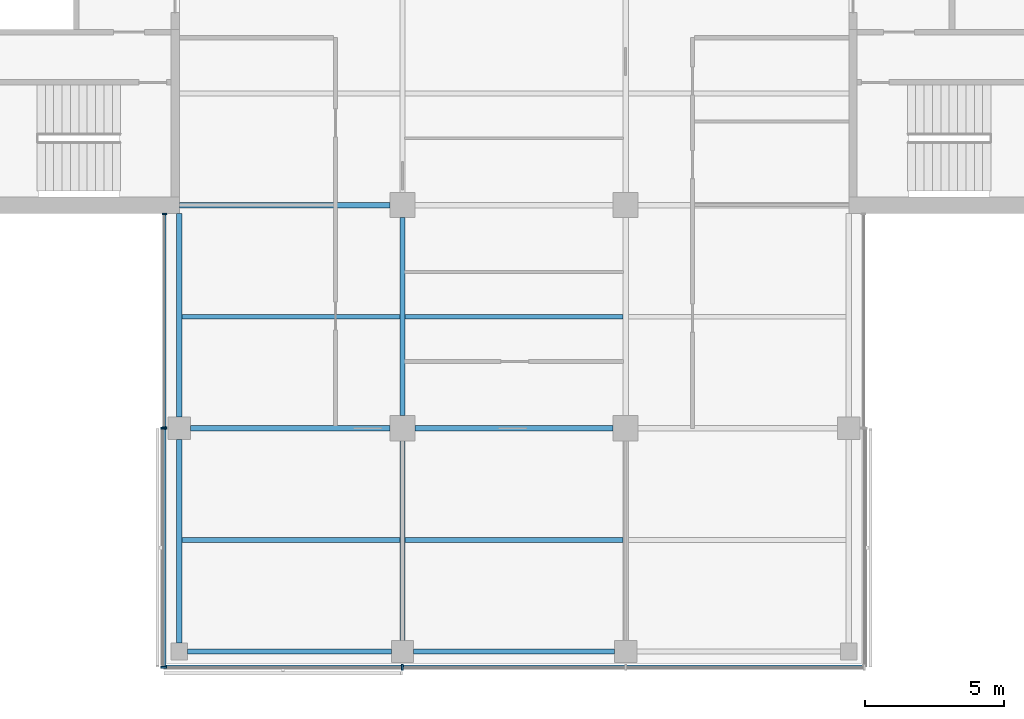
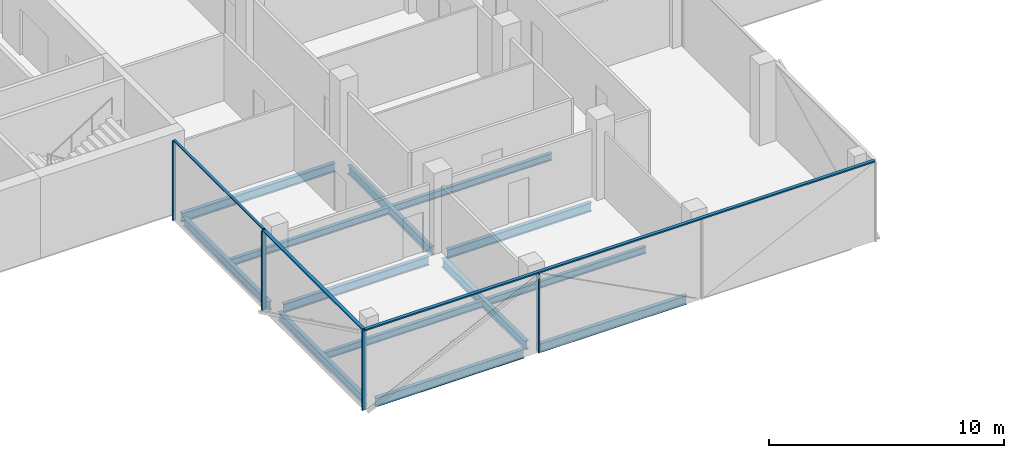
# One storey, part 2 of 15: 13 beams, 8 members, 3 elements without a shape of their own.
"""IFC4 building model written with IfcOpenShell, lengths in metres."""

from ifc_helpers import new_model, si_unit, direction, frame, origin, origin_2d, place, context, subcontext, project, spatial, rectangle, i_section, extrude, material, material_profile, profile_set, type_object, element, aggregate, save


model = new_model("IFC4")

# Units and contexts
model_context = context("Model", 3, precision=1e-05, world=origin(), true_north=direction((0.0, 1.0)))
body_context = subcontext(model_context, "Body", "Model", "MODEL_VIEW")
ifc_project = project(units=[si_unit("LENGTHUNIT", "METRE"), si_unit("AREAUNIT", "SQUARE_METRE"), si_unit("VOLUMEUNIT", "CUBIC_METRE"), si_unit("PLANEANGLEUNIT", "RADIAN"), si_unit("MASSUNIT", "GRAM", prefix="KILO")], contexts=[model_context])

# Site, building, storey
site_placement = place(None, origin())
site = spatial("IfcSite", under=ifc_project, at=site_placement, CompositionType="ELEMENT")
building_placement = place(site_placement, origin())
building = spatial("IfcBuilding", under=site, at=building_placement, Name="Crosswind Convention Tower", CompositionType="ELEMENT")
storey_placement = place(building_placement, frame((0.0, 0.0, 195.699951171875)))
storey = spatial("IfcBuildingStorey", under=building, at=storey_placement, Name="L41", CompositionType="ELEMENT", Elevation=195.699951171875)

# Beams
ifc_material_1 = material(Name="Steel S355", Category="steel")
ifc_material_profile_1 = material_profile(ifc_material_1, i_section(OverallWidth=0.18994140625, OverallDepth=0.45361328125, WebThickness=0.008544921875, FlangeThickness=0.0126953125, FilletRadius=0.01025390625, at=origin_2d()), Name="UB 457x191x67")
ifc_profile_set_1 = profile_set([ifc_material_profile_1], Name="Steel S355")
beam_type_1 = type_object("IfcBeamType", Name="Edge beam UB 457x191x67", PredefinedType="SPANDREL", material=ifc_profile_set_1)
for number, where, z_axis, x_axis, name in (
    (1, (113.0, 72.300048828125, -0.52685546875), (0.0, 1.0, 0.0), (-1.0, 0.0, 0.0), "B16 L41 edge beam 1"),
    (2, (113.0, 80.39990234375, -0.52685546875), (0.0, 1.0, 0.0), (-1.0, 0.0, 0.0), "B16 L41 edge beam 2"),
    (3, (113.300048828125, 72.0, -0.52685546875), (1.0, 0.0, 0.0), (0.0, 1.0, 0.0), "B16 L41 edge beam 5"),
):
    element("IfcBeam", number, at=place(storey_placement, frame(where, z_axis=z_axis, x_axis=x_axis)), inside=storey, type_object=beam_type_1, Name=name, PredefinedType="SPANDREL", context=body_context, shape_type="SweptSolid", body=[
        extrude(i_section(OverallWidth=0.18994140625, OverallDepth=0.45361328125, WebThickness=0.008544921875, FlangeThickness=0.0126953125, FilletRadius=0.01025390625, at=origin_2d()), origin(), (0.0, 0.0, 1.0), 7.300048828125),
    ])
beam_1_placement = place(storey_placement, frame((121.39990234375, 72.0, -0.52685546875), z_axis=(1.0, 0.0, 0.0), x_axis=(0.0, 1.0, 0.0)))
element("IfcBeam", 4, at=beam_1_placement, inside=storey, type_object=beam_type_1, Name="B16 L41 edge beam 7", PredefinedType="SPANDREL", context=body_context, shape_type="SweptSolid", body=[
    extrude(i_section(OverallWidth=0.18994140625, OverallDepth=0.45361328125, WebThickness=0.008544921875, FlangeThickness=0.0126953125, FilletRadius=0.01025390625, at=origin_2d()), origin(), (0.0, 0.0, 1.0), 7.2001953125),
])
ifc_material_profile_2 = material_profile(ifc_material_1, i_section(OverallWidth=0.1904296875, OverallDepth=0.457275390625, WebThickness=0.009033203125, FlangeThickness=0.014404296875, FilletRadius=0.01025390625, at=origin_2d()), Name="UB 457x191x75")
ifc_profile_set_2 = profile_set([ifc_material_profile_2], Name="Steel S355")
beam_type_2 = type_object("IfcBeamType", Name="Girder UB 457x191x75", PredefinedType="BEAM", material=ifc_profile_set_2)
for number, where, z_axis, x_axis, name in (
    (5, (113.39990234375, 80.0, -0.528564453125), (1.0, 0.0, 0.0), (0.0, 1.0, 0.0), "B2 L41 girder 1"),
    (6, (121.0, 72.39990234375, -0.528564453125), (0.0, 1.0, 0.0), (-1.0, 0.0, 0.0), "B2 L41 girder 3"),
):
    element("IfcBeam", number, at=place(storey_placement, frame(where, z_axis=z_axis, x_axis=x_axis)), inside=storey, type_object=beam_type_2, Name=name, PredefinedType="BEAM", context=body_context, shape_type="SweptSolid", body=[
        extrude(i_section(OverallWidth=0.1904296875, OverallDepth=0.457275390625, WebThickness=0.009033203125, FlangeThickness=0.014404296875, FilletRadius=0.01025390625, at=origin_2d()), origin(), (0.0, 0.0, 1.0), 7.150146484375),
    ])
for number, where, z_axis, x_axis, name in (
    (7, (121.0, 80.449951171875, -0.528564453125), (0.0, 1.0, 0.0), (-1.0, 0.0, 0.0), "B2 L41 girder 4"),
    (8, (121.449951171875, 80.0, -0.528564453125), (1.0, 0.0, 0.0), (0.0, 1.0, 0.0), "B2 L41 girder 10"),
):
    element("IfcBeam", number, at=place(storey_placement, frame(where, z_axis=z_axis, x_axis=x_axis)), inside=storey, type_object=beam_type_2, Name=name, PredefinedType="BEAM", context=body_context, shape_type="SweptSolid", body=[
        extrude(i_section(OverallWidth=0.1904296875, OverallDepth=0.457275390625, WebThickness=0.009033203125, FlangeThickness=0.014404296875, FilletRadius=0.01025390625, at=origin_2d()), origin(), (0.0, 0.0, 1.0), 7.10009765625),
    ])
ifc_material_profile_3 = material_profile(ifc_material_1, i_section(OverallWidth=0.19140625, OverallDepth=0.460205078125, WebThickness=0.010009765625, FlangeThickness=0.01611328125, FilletRadius=0.01025390625, at=origin_2d()), Name="UB 457x191x82")
ifc_profile_set_3 = profile_set([ifc_material_profile_3], Name="Steel S355")
beam_type_3 = type_object("IfcBeamType", Name="Girder at core wall UB 457x191x82", PredefinedType="BEAM", material=ifc_profile_set_3)
beam_2_placement = place(storey_placement, frame((113.0, 88.0, -0.530029296875), z_axis=(1.0, 0.0, 0.0), x_axis=(0.0, 1.0, 0.0)))
element("IfcBeam", 9, at=beam_2_placement, inside=storey, type_object=beam_type_3, Name="B23 L41 girder at core wall 1", PredefinedType="BEAM", context=body_context, shape_type="SweptSolid", body=[
    extrude(i_section(OverallWidth=0.19140625, OverallDepth=0.460205078125, WebThickness=0.010009765625, FlangeThickness=0.01611328125, FilletRadius=0.01025390625, at=origin_2d()), origin(), (0.0, 0.0, 1.0), 7.550048828125),
])

# Curtain wall, members
ifc_material_2 = material(Name="Aluminium unitised curtain wall", Category="aluminium")
curtain_wall_type_1 = type_object("IfcCurtainWallType", Name="CORE END SLOT WALL 160", PredefinedType="USERDEFINED", material=ifc_material_2)
curtain_wall_1_placement = place(storey_placement, origin())
curtain_wall_1 = element("IfcCurtainWall", 10, at=curtain_wall_1_placement, inside=storey, type_object=curtain_wall_type_1, Name="CW6 L41 S-W.1-1 slot", ObjectType="UNITISED", PredefinedType="USERDEFINED")
ifc_material_3 = material(Name="Aluminium mullion", Category="aluminium")
ifc_material_profile_4 = material_profile(ifc_material_3, rectangle(XDim=0.159912109375, YDim=0.050048828125, at=origin_2d()), Name="AL 160X50")
ifc_profile_set_4 = profile_set([ifc_material_profile_4], Name="Aluminium mullion")
member_type_1 = type_object("IfcMemberType", Name="MULLION 50X160", PredefinedType="MULLION", material=ifc_profile_set_4)
member_1_placement = place(storey_placement, frame((112.469970703125, 87.675048828125, -0.300048828125), z_axis=(0.0, 0.0, 1.0), x_axis=(-1.0, 0.0, 0.0)))
member_1 = element("IfcMember", 11, at=member_1_placement, type_object=member_type_1, Name="CW6 mullion 1", PredefinedType="MULLION", context=body_context, shape_type="SweptSolid", body=[
    extrude(rectangle(XDim=0.159912109375, YDim=0.050048828125, at=origin_2d()), origin(), (0.0, 0.0, 1.0), 4.150146484375),
])
member_2_placement = place(storey_placement, frame((112.469970703125, 80.02490234375, -0.300048828125), z_axis=(0.0, 0.0, 1.0), x_axis=(-1.0, 0.0, 0.0)))
member_2 = element("IfcMember", 12, at=member_2_placement, type_object=member_type_1, Name="CW6 mullion 2", PredefinedType="MULLION", context=body_context, shape_type="SweptSolid", body=[
    extrude(rectangle(XDim=0.159912109375, YDim=0.050048828125, at=origin_2d()), origin(), (0.0, 0.0, 1.0), 4.150146484375),
])

curtain_wall_type_2 = type_object("IfcCurtainWallType", Name="OFFICE UNITISED WALL 220", PredefinedType="USERDEFINED", material=ifc_material_2)
curtain_wall_2_placement = place(storey_placement, origin())
curtain_wall_2 = element("IfcCurtainWall", 13, at=curtain_wall_2_placement, inside=storey, type_object=curtain_wall_type_2, Name="CW3 L41 S-W 1", ObjectType="UNITISED", PredefinedType="USERDEFINED")
ifc_material_profile_5 = material_profile(ifc_material_3, rectangle(XDim=0.219970703125, YDim=0.070068359375, at=origin_2d()), Name="AL 220X70")
ifc_profile_set_5 = profile_set([ifc_material_profile_5], Name="Aluminium mullion")
member_type_2 = type_object("IfcMemberType", Name="MULLION 70X220", PredefinedType="MULLION", material=ifc_profile_set_5)
member_3_placement = place(storey_placement, frame((112.43994140625, 80.0, -0.300048828125), z_axis=(0.0, 0.0, 1.0), x_axis=(-1.0, 0.0, 0.0)))
member_3 = element("IfcMember", 14, at=member_3_placement, type_object=member_type_2, Name="CW3 mullion 1", PredefinedType="MULLION", context=body_context, shape_type="SweptSolid", body=[
    extrude(rectangle(XDim=0.219970703125, YDim=0.070068359375, at=origin_2d()), origin(), (0.0, 0.0, 1.0), 4.130126953125),
])
member_4_placement = place(storey_placement, frame((112.43994140625, 71.43994140625, -0.300048828125), z_axis=(0.0, 0.0, 1.0), x_axis=(-1.0, 0.0, 0.0)))
member_4 = element("IfcMember", 15, at=member_4_placement, type_object=member_type_2, Name="CW3 mullion 2", PredefinedType="MULLION", context=body_context, shape_type="SweptSolid", body=[
    extrude(rectangle(XDim=0.219970703125, YDim=0.070068359375, at=origin_2d()), origin(), (0.0, 0.0, 1.0), 4.130126953125),
])

# Curtain wall, member
curtain_wall_3_placement = place(storey_placement, origin())
curtain_wall_3 = element("IfcCurtainWall", 16, at=curtain_wall_3_placement, inside=storey, type_object=curtain_wall_type_2, Name="CW3 L41 S-TIP 1", ObjectType="UNITISED", PredefinedType="USERDEFINED")
member_5_placement = place(storey_placement, frame((121.0, 71.43994140625, -0.300048828125), z_axis=(0.0, 0.0, 1.0), x_axis=(0.0, -1.0, 0.0)))
member_5 = element("IfcMember", 17, at=member_5_placement, type_object=member_type_2, Name="CW3 mullion 2", PredefinedType="MULLION", context=body_context, shape_type="SweptSolid", body=[
    extrude(rectangle(XDim=0.219970703125, YDim=0.070068359375, at=origin_2d()), origin(), (0.0, 0.0, 1.0), 4.130126953125),
])

# Beams
ifc_material_profile_6 = material_profile(ifc_material_1, i_section(OverallWidth=0.172119140625, OverallDepth=0.358642578125, WebThickness=0.008056640625, FlangeThickness=0.012939453125, FilletRadius=0.01025390625, at=origin_2d()), Name="UB 356x171x57")
ifc_profile_set_6 = profile_set([ifc_material_profile_6], Name="Steel S355")
beam_type_4 = type_object("IfcBeamType", Name="Secondary beam UB 356x171x57", PredefinedType="JOIST", material=ifc_profile_set_6)
for number, where, z_axis, x_axis, name in (
    (18, (113.094970703125, 76.0, -0.479248046875), (1.0, 0.0, 0.0), (0.0, 1.0, 0.0), "B9 L41 secondary beam 4"),
    (19, (113.094970703125, 84.0, -0.479248046875), (1.0, 0.0, 0.0), (0.0, 1.0, 0.0), "B9 L41 secondary beam 5"),
):
    element("IfcBeam", number, at=place(storey_placement, frame(where, z_axis=z_axis, x_axis=x_axis)), inside=storey, type_object=beam_type_4, Name=name, PredefinedType="JOIST", context=body_context, shape_type="SweptSolid", body=[
        extrude(i_section(OverallWidth=0.172119140625, OverallDepth=0.358642578125, WebThickness=0.008056640625, FlangeThickness=0.012939453125, FilletRadius=0.01025390625, at=origin_2d()), origin(), (0.0, 0.0, 1.0), 7.809814453125),
    ])
for number, where, z_axis, x_axis, name in (
    (20, (121.09521484375, 76.0, -0.479248046875), (1.0, 0.0, 0.0), (0.0, 1.0, 0.0), "B9 L41 secondary beam 8"),
    (21, (121.09521484375, 84.0, -0.479248046875), (1.0, 0.0, 0.0), (0.0, 1.0, 0.0), "B9 L41 secondary beam 9"),
):
    element("IfcBeam", number, at=place(storey_placement, frame(where, z_axis=z_axis, x_axis=x_axis)), inside=storey, type_object=beam_type_4, Name=name, PredefinedType="JOIST", context=body_context, shape_type="SweptSolid", body=[
        extrude(i_section(OverallWidth=0.172119140625, OverallDepth=0.358642578125, WebThickness=0.008056640625, FlangeThickness=0.012939453125, FilletRadius=0.01025390625, at=origin_2d()), origin(), (0.0, 0.0, 1.0), 7.8095703125),
    ])

# Member
ifc_material_4 = material(Name="Aluminium transom", Category="aluminium")
ifc_material_profile_7 = material_profile(ifc_material_4, rectangle(XDim=0.1201171875, YDim=0.050048828125, at=origin_2d()), Name="AL 120X50")
ifc_profile_set_7 = profile_set([ifc_material_profile_7], Name="Aluminium transom")
member_type_3 = type_object("IfcMemberType", Name="TRANSOM 50X120", PredefinedType="USERDEFINED", material=ifc_profile_set_7)
member_6_placement = place(storey_placement, frame((112.469970703125, 87.64990234375, 3.875), z_axis=(0.0, -1.0, 0.0), x_axis=(1.0, 0.0, 0.0)))
member_6 = element("IfcMember", 22, at=member_6_placement, type_object=member_type_3, Name="CW6 transom", ObjectType="TRANSOM", PredefinedType="USERDEFINED", context=body_context, shape_type="SweptSolid", body=[
    extrude(rectangle(XDim=0.1201171875, YDim=0.050048828125, at=origin_2d()), origin(), (0.0, 0.0, 1.0), 7.599853515625),
])

aggregate(curtain_wall_1, [member_1, member_2, member_6])

ifc_material_profile_8 = material_profile(ifc_material_4, rectangle(XDim=0.159912109375, YDim=0.070068359375, at=origin_2d()), Name="AL 160X70")
ifc_profile_set_8 = profile_set([ifc_material_profile_8], Name="Aluminium transom")
member_type_4 = type_object("IfcMemberType", Name="TRANSOM 70X160", PredefinedType="USERDEFINED", material=ifc_profile_set_8)
member_7_placement = place(storey_placement, frame((112.43994140625, 79.965087890625, 3.864990234375), z_axis=(0.0, -1.0, 0.0), x_axis=(1.0, 0.0, 0.0)))
member_7 = element("IfcMember", 23, at=member_7_placement, type_object=member_type_4, Name="CW3 transom", ObjectType="TRANSOM", PredefinedType="USERDEFINED", context=body_context, shape_type="SweptSolid", body=[
    extrude(rectangle(XDim=0.159912109375, YDim=0.070068359375, at=origin_2d()), origin(), (0.0, 0.0, 1.0), 8.489990234375),
])

aggregate(curtain_wall_2, [member_3, member_4, member_7])

member_8_placement = place(storey_placement, frame((112.47509765625, 71.43994140625, 3.864990234375), z_axis=(1.0, 0.0, 0.0), x_axis=(0.0, 1.0, 0.0)))
member_8 = element("IfcMember", 24, at=member_8_placement, type_object=member_type_4, Name="CW3 transom", ObjectType="TRANSOM", PredefinedType="USERDEFINED", context=body_context, shape_type="SweptSolid", body=[
    extrude(rectangle(XDim=0.159912109375, YDim=0.070068359375, at=origin_2d()), origin(), (0.0, 0.0, 1.0), 25.0498046875),
])

aggregate(curtain_wall_3, [member_5, member_8])

save(model, "model.ifc")
